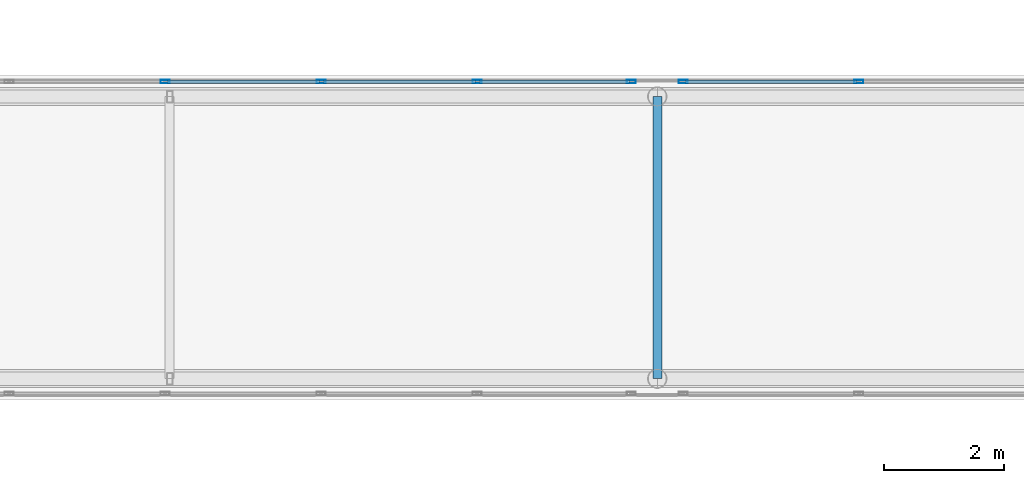
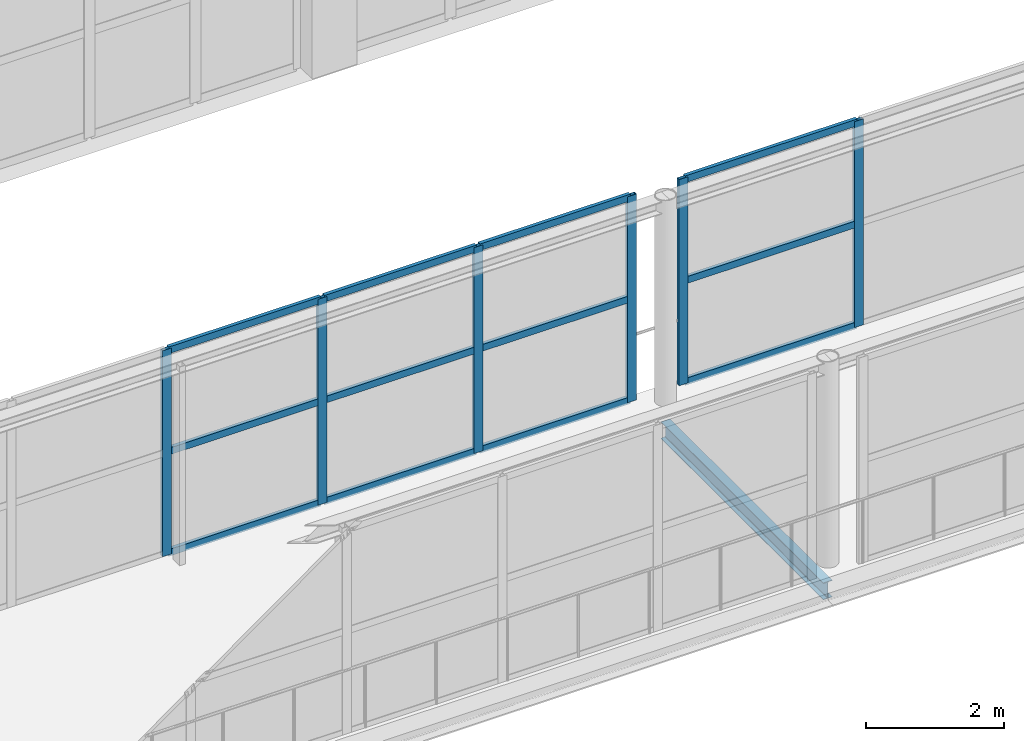
# One storey, part 66 of 167: 18 members, 1 beam, 2 elements without a shape of their own.
"""IFC4 building model written with IfcOpenShell, lengths in metres."""

from ifc_helpers import new_model, si_unit, direction, frame, origin, origin_2d, place, context, subcontext, project, spatial, hollow_rectangle, i_section, extrude, material, layer, layer_set, material_profile, profile_set, type_object, element, aggregate, save


model = new_model("IFC4")

# Units and contexts
model_context = context("Model", 3, precision=1e-05, world=origin(), true_north=direction((0.0, 1.0)))
body_context = subcontext(model_context, "Body", "Model", "MODEL_VIEW")
ifc_project = project(units=[si_unit("LENGTHUNIT", "METRE"), si_unit("AREAUNIT", "SQUARE_METRE"), si_unit("VOLUMEUNIT", "CUBIC_METRE"), si_unit("PLANEANGLEUNIT", "RADIAN"), si_unit("MASSUNIT", "GRAM", prefix="KILO")], contexts=[model_context])

# Site, building, storey
site_placement = place(None, origin())
site = spatial("IfcSite", under=ifc_project, at=site_placement, CompositionType="ELEMENT")
building_placement = place(site_placement, origin())
building = spatial("IfcBuilding", under=site, at=building_placement, Name="Zizhar Promenade General Hospital", CompositionType="ELEMENT")
storey_placement = place(building_placement, frame((0.0, 0.0, 9.60009765625)))
storey = spatial("IfcBuildingStorey", under=building, at=storey_placement, Name="L02", CompositionType="ELEMENT", Elevation=9.60009765625)

# Beam
ifc_material_1 = material(Name="Steel S355", Category="steel")
ifc_material_profile_1 = material_profile(ifc_material_1, i_section(OverallWidth=0.14990234375, OverallDepth=0.300048828125, WebThickness=0.007080078125, FlangeThickness=0.0107421875, FilletRadius=0.014892578125, at=origin_2d()))
ifc_profile_set_1 = profile_set([ifc_material_profile_1], Name="Steel S355")
beam_type = type_object("IfcBeamType", Name="BM-STL-IPE300", PredefinedType="JOIST", material=ifc_profile_set_1)
beam_placement = place(storey_placement, frame((85.800048828125, 77.75, -0.5), z_axis=(0.0, 1.0, 0.0), x_axis=(-1.0, 0.0, 0.0)))
element("IfcBeam", 1, at=beam_placement, inside=storey, type_object=beam_type, Name="SB-2 Transverse Deck Beam 85.8", PredefinedType="JOIST", context=body_context, shape_type="SweptSolid", body=[
    extrude(i_section(OverallWidth=0.14990234375, OverallDepth=0.300048828125, WebThickness=0.007080078125, FlangeThickness=0.0107421875, FilletRadius=0.014892578125, at=origin_2d()), origin(), (0.0, 0.0, 1.0), 4.699951171875),
])

# Curtain wall, members
ifc_material_2 = material(Name="Anodised aluminium 6063-T6 and low-E glass", Category="aluminium")
ifc_layer = layer(ifc_material_2, 0.159912109375)
ifc_layer_set = layer_set([ifc_layer], Name="Anodised aluminium 6063-T6 and low-E glass")
curtain_wall_type = type_object("IfcCurtainWallType", Name="CW-SKY-GLZ", PredefinedType="NOTDEFINED", material=ifc_layer_set)
curtain_wall_1_placement = place(storey_placement, origin())
curtain_wall_1 = element("IfcCurtainWall", 2, at=curtain_wall_1_placement, inside=storey, type_object=curtain_wall_type, Name="Courtyard Surgical-Clinic Skybridge Level L02 North Glazing 1", PredefinedType="NOTDEFINED")
ifc_material_3 = material(Name="Anodised aluminium 6063-T6", Category="aluminium")
ifc_material_profile_2 = material_profile(ifc_material_3, hollow_rectangle(XDim=0.06005859375, YDim=0.14990234375, WallThickness=0.00390625, at=origin_2d()))
ifc_profile_set_2 = profile_set([ifc_material_profile_2], Name="Anodised aluminium 6063-T6")
member_type_1 = type_object("IfcMemberType", Name="CWM-ALU-150x60", PredefinedType="MULLION", material=ifc_profile_set_2)
member_1_placement = place(storey_placement, frame((77.60009765625, 82.699951171875, 0.0), z_axis=(0.0, 0.0, 1.0), x_axis=(0.0, 1.0, 0.0)))
member_1 = element("IfcMember", 3, at=member_1_placement, type_object=member_type_1, Name="CW-15 mullion 3", PredefinedType="MULLION", context=body_context, shape_type="SweptSolid", body=[
    extrude(hollow_rectangle(XDim=0.06005859375, YDim=0.14990234375, WallThickness=0.00390625, at=origin_2d()), origin(), (0.0, 0.0, 1.0), 3.639892578125),
])
member_2_placement = place(storey_placement, frame((80.199951171875, 82.699951171875, 0.0), z_axis=(0.0, 0.0, 1.0), x_axis=(0.0, 1.0, 0.0)))
member_2 = element("IfcMember", 4, at=member_2_placement, type_object=member_type_1, Name="CW-15 mullion 4", PredefinedType="MULLION", context=body_context, shape_type="SweptSolid", body=[
    extrude(hollow_rectangle(XDim=0.06005859375, YDim=0.14990234375, WallThickness=0.00390625, at=origin_2d()), origin(), (0.0, 0.0, 1.0), 3.639892578125),
])
member_3_placement = place(storey_placement, frame((82.800048828125, 82.699951171875, 0.0), z_axis=(0.0, 0.0, 1.0), x_axis=(0.0, 1.0, 0.0)))
member_3 = element("IfcMember", 5, at=member_3_placement, type_object=member_type_1, Name="CW-15 mullion 5", PredefinedType="MULLION", context=body_context, shape_type="SweptSolid", body=[
    extrude(hollow_rectangle(XDim=0.06005859375, YDim=0.14990234375, WallThickness=0.00390625, at=origin_2d()), origin(), (0.0, 0.0, 1.0), 3.639892578125),
])
member_4_placement = place(storey_placement, frame((85.3701171875, 82.699951171875, 0.0), z_axis=(0.0, 0.0, 1.0), x_axis=(0.0, 1.0, 0.0)))
member_4 = element("IfcMember", 6, at=member_4_placement, type_object=member_type_1, Name="CW-15 mullion 6", PredefinedType="MULLION", context=body_context, shape_type="SweptSolid", body=[
    extrude(hollow_rectangle(XDim=0.06005859375, YDim=0.14990234375, WallThickness=0.00390625, at=origin_2d()), origin(), (0.0, 0.0, 1.0), 3.639892578125),
])

curtain_wall_2_placement = place(storey_placement, origin())
curtain_wall_2 = element("IfcCurtainWall", 7, at=curtain_wall_2_placement, inside=storey, type_object=curtain_wall_type, Name="Courtyard Surgical-Clinic Skybridge Level L02 North Glazing 2", PredefinedType="NOTDEFINED")
member_5_placement = place(storey_placement, frame((86.22998046875, 82.699951171875, 0.0), z_axis=(0.0, 0.0, 1.0), x_axis=(0.0, 1.0, 0.0)))
member_5 = element("IfcMember", 8, at=member_5_placement, type_object=member_type_1, Name="CW-15 mullion 1", PredefinedType="MULLION", context=body_context, shape_type="SweptSolid", body=[
    extrude(hollow_rectangle(XDim=0.06005859375, YDim=0.14990234375, WallThickness=0.00390625, at=origin_2d()), origin(), (0.0, 0.0, 1.0), 3.639892578125),
])
member_6_placement = place(storey_placement, frame((89.159912109375, 82.699951171875, 0.0), z_axis=(0.0, 0.0, 1.0), x_axis=(0.0, 1.0, 0.0)))
member_6 = element("IfcMember", 9, at=member_6_placement, type_object=member_type_1, Name="CW-15 mullion 2", PredefinedType="MULLION", context=body_context, shape_type="SweptSolid", body=[
    extrude(hollow_rectangle(XDim=0.06005859375, YDim=0.14990234375, WallThickness=0.00390625, at=origin_2d()), origin(), (0.0, 0.0, 1.0), 3.639892578125),
])

# Member
ifc_material_4 = material(Name="Anodised aluminium 6063-T6", Category="aluminium")
ifc_material_profile_3 = material_profile(ifc_material_4, hollow_rectangle(XDim=0.06005859375, YDim=0.1201171875, WallThickness=0.00390625, at=origin_2d()))
ifc_profile_set_3 = profile_set([ifc_material_profile_3], Name="Anodised aluminium 6063-T6")
member_type_2 = type_object("IfcMemberType", Name="CWT-ALU-120x60", PredefinedType="USERDEFINED", material=ifc_profile_set_3)
member_7_placement = place(storey_placement, frame((77.6298828125, 82.699951171875, 0.02978515625), z_axis=(1.0, 0.0, 0.0), x_axis=(0.0, 1.0, 0.0)))
member_7 = element("IfcMember", 10, at=member_7_placement, type_object=member_type_2, Name="CW-15 transom 3.1", ObjectType="TRANSOM", PredefinedType="USERDEFINED", context=body_context, shape_type="SweptSolid", body=[
    extrude(hollow_rectangle(XDim=0.06005859375, YDim=0.1201171875, WallThickness=0.00390625, at=origin_2d()), origin(), (0.0, 0.0, 1.0), 2.5400390625),
])

member_8_placement = place(storey_placement, frame((77.6298828125, 82.699951171875, 1.81982421875), z_axis=(1.0, 0.0, 0.0), x_axis=(0.0, 1.0, 0.0)))
member_8 = element("IfcMember", 11, at=member_8_placement, type_object=member_type_2, Name="CW-15 transom 3.2", ObjectType="TRANSOM", PredefinedType="USERDEFINED", context=body_context, shape_type="SweptSolid", body=[
    extrude(hollow_rectangle(XDim=0.06005859375, YDim=0.1201171875, WallThickness=0.00390625, at=origin_2d()), origin(), (0.0, 0.0, 1.0), 2.5400390625),
])

member_9_placement = place(storey_placement, frame((77.6298828125, 82.699951171875, 3.60986328125), z_axis=(1.0, 0.0, 0.0), x_axis=(0.0, 1.0, 0.0)))
member_9 = element("IfcMember", 12, at=member_9_placement, type_object=member_type_2, Name="CW-15 transom 3.3", ObjectType="TRANSOM", PredefinedType="USERDEFINED", context=body_context, shape_type="SweptSolid", body=[
    extrude(hollow_rectangle(XDim=0.06005859375, YDim=0.1201171875, WallThickness=0.00390625, at=origin_2d()), origin(), (0.0, 0.0, 1.0), 2.5400390625),
])

member_10_placement = place(storey_placement, frame((80.22998046875, 82.699951171875, 0.02978515625), z_axis=(1.0, 0.0, 0.0), x_axis=(0.0, 1.0, 0.0)))
member_10 = element("IfcMember", 13, at=member_10_placement, type_object=member_type_2, Name="CW-15 transom 4.1", ObjectType="TRANSOM", PredefinedType="USERDEFINED", context=body_context, shape_type="SweptSolid", body=[
    extrude(hollow_rectangle(XDim=0.06005859375, YDim=0.1201171875, WallThickness=0.00390625, at=origin_2d()), origin(), (0.0, 0.0, 1.0), 2.5400390625),
])

member_11_placement = place(storey_placement, frame((80.22998046875, 82.699951171875, 1.81982421875), z_axis=(1.0, 0.0, 0.0), x_axis=(0.0, 1.0, 0.0)))
member_11 = element("IfcMember", 14, at=member_11_placement, type_object=member_type_2, Name="CW-15 transom 4.2", ObjectType="TRANSOM", PredefinedType="USERDEFINED", context=body_context, shape_type="SweptSolid", body=[
    extrude(hollow_rectangle(XDim=0.06005859375, YDim=0.1201171875, WallThickness=0.00390625, at=origin_2d()), origin(), (0.0, 0.0, 1.0), 2.5400390625),
])

member_12_placement = place(storey_placement, frame((80.22998046875, 82.699951171875, 3.60986328125), z_axis=(1.0, 0.0, 0.0), x_axis=(0.0, 1.0, 0.0)))
member_12 = element("IfcMember", 15, at=member_12_placement, type_object=member_type_2, Name="CW-15 transom 4.3", ObjectType="TRANSOM", PredefinedType="USERDEFINED", context=body_context, shape_type="SweptSolid", body=[
    extrude(hollow_rectangle(XDim=0.06005859375, YDim=0.1201171875, WallThickness=0.00390625, at=origin_2d()), origin(), (0.0, 0.0, 1.0), 2.5400390625),
])

member_13_placement = place(storey_placement, frame((82.830078125, 82.699951171875, 0.02978515625), z_axis=(1.0, 0.0, 0.0), x_axis=(0.0, 1.0, 0.0)))
member_13 = element("IfcMember", 16, at=member_13_placement, type_object=member_type_2, Name="CW-15 transom 5.1", ObjectType="TRANSOM", PredefinedType="USERDEFINED", context=body_context, shape_type="SweptSolid", body=[
    extrude(hollow_rectangle(XDim=0.06005859375, YDim=0.1201171875, WallThickness=0.00390625, at=origin_2d()), origin(), (0.0, 0.0, 1.0), 2.510009765625),
])

member_14_placement = place(storey_placement, frame((82.830078125, 82.699951171875, 1.81982421875), z_axis=(1.0, 0.0, 0.0), x_axis=(0.0, 1.0, 0.0)))
member_14 = element("IfcMember", 17, at=member_14_placement, type_object=member_type_2, Name="CW-15 transom 5.2", ObjectType="TRANSOM", PredefinedType="USERDEFINED", context=body_context, shape_type="SweptSolid", body=[
    extrude(hollow_rectangle(XDim=0.06005859375, YDim=0.1201171875, WallThickness=0.00390625, at=origin_2d()), origin(), (0.0, 0.0, 1.0), 2.510009765625),
])

member_15_placement = place(storey_placement, frame((82.830078125, 82.699951171875, 3.60986328125), z_axis=(1.0, 0.0, 0.0), x_axis=(0.0, 1.0, 0.0)))
member_15 = element("IfcMember", 18, at=member_15_placement, type_object=member_type_2, Name="CW-15 transom 5.3", ObjectType="TRANSOM", PredefinedType="USERDEFINED", context=body_context, shape_type="SweptSolid", body=[
    extrude(hollow_rectangle(XDim=0.06005859375, YDim=0.1201171875, WallThickness=0.00390625, at=origin_2d()), origin(), (0.0, 0.0, 1.0), 2.510009765625),
])

aggregate(curtain_wall_1, [member_1, member_2, member_3, member_4, member_7, member_8, member_9, member_10, member_11, member_12, member_13, member_14, member_15])

member_16_placement = place(storey_placement, frame((86.260009765625, 82.699951171875, 0.02978515625), z_axis=(1.0, 0.0, 0.0), x_axis=(0.0, 1.0, 0.0)))
member_16 = element("IfcMember", 19, at=member_16_placement, type_object=member_type_2, Name="CW-15 transom 1.1", ObjectType="TRANSOM", PredefinedType="USERDEFINED", context=body_context, shape_type="SweptSolid", body=[
    extrude(hollow_rectangle(XDim=0.06005859375, YDim=0.1201171875, WallThickness=0.00390625, at=origin_2d()), origin(), (0.0, 0.0, 1.0), 2.869873046875),
])

member_17_placement = place(storey_placement, frame((86.260009765625, 82.699951171875, 1.81982421875), z_axis=(1.0, 0.0, 0.0), x_axis=(0.0, 1.0, 0.0)))
member_17 = element("IfcMember", 20, at=member_17_placement, type_object=member_type_2, Name="CW-15 transom 1.2", ObjectType="TRANSOM", PredefinedType="USERDEFINED", context=body_context, shape_type="SweptSolid", body=[
    extrude(hollow_rectangle(XDim=0.06005859375, YDim=0.1201171875, WallThickness=0.00390625, at=origin_2d()), origin(), (0.0, 0.0, 1.0), 2.869873046875),
])

member_18_placement = place(storey_placement, frame((86.260009765625, 82.699951171875, 3.60986328125), z_axis=(1.0, 0.0, 0.0), x_axis=(0.0, 1.0, 0.0)))
member_18 = element("IfcMember", 21, at=member_18_placement, type_object=member_type_2, Name="CW-15 transom 1.3", ObjectType="TRANSOM", PredefinedType="USERDEFINED", context=body_context, shape_type="SweptSolid", body=[
    extrude(hollow_rectangle(XDim=0.06005859375, YDim=0.1201171875, WallThickness=0.00390625, at=origin_2d()), origin(), (0.0, 0.0, 1.0), 2.869873046875),
])

aggregate(curtain_wall_2, [member_5, member_6, member_16, member_17, member_18])

save(model, "model.ifc")
